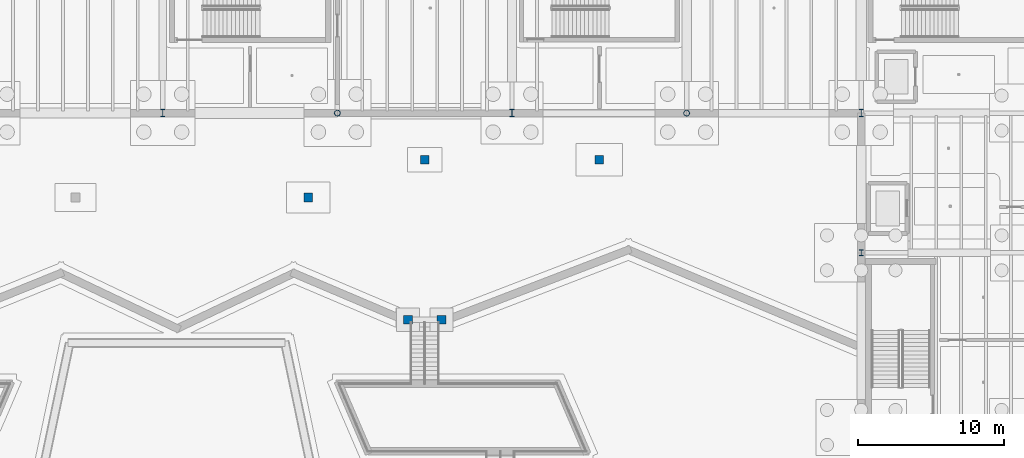
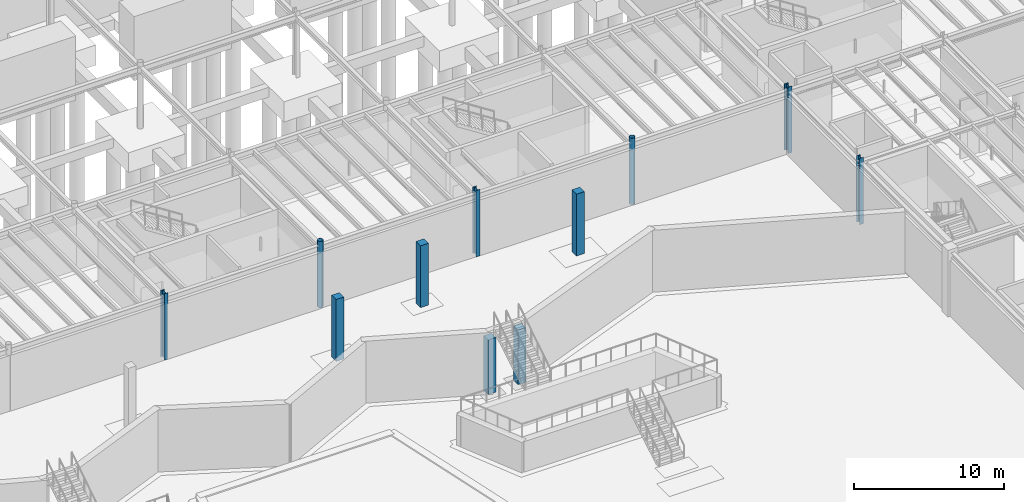
# One storey, part 16 of 67: 11 columns.
"""IFC4 building model written with IfcOpenShell, lengths in metres."""

from ifc_helpers import new_model, si_unit, direction, frame, origin, origin_2d, place, context, subcontext, project, spatial, rectangle, hollow_circle, i_section, extrude, material, material_profile, profile_set, type_object, element, save


model = new_model("IFC4")

# Units and contexts
model_context = context("Model", 3, precision=1e-05, world=origin(), true_north=direction((0.0, 1.0)))
body_context = subcontext(model_context, "Body", "Model", "MODEL_VIEW")
ifc_project = project(units=[si_unit("LENGTHUNIT", "METRE"), si_unit("AREAUNIT", "SQUARE_METRE"), si_unit("VOLUMEUNIT", "CUBIC_METRE"), si_unit("PLANEANGLEUNIT", "RADIAN"), si_unit("MASSUNIT", "GRAM", prefix="KILO")], contexts=[model_context])

# Site, building, storey
site_placement = place(None, origin())
site = spatial("IfcSite", under=ifc_project, at=site_placement, CompositionType="ELEMENT")
building_placement = place(site_placement, origin())
building = spatial("IfcBuilding", under=site, at=building_placement, Name="Zlatogorsky Bluff Art Gallery", CompositionType="ELEMENT")
storey_placement = place(building_placement, frame((0.0, 0.0, -5.39990234375)))
storey = spatial("IfcBuildingStorey", under=building, at=storey_placement, Name="B1", CompositionType="ELEMENT", Elevation=-5.39990234375)

# Columns
ifc_material_1 = material(Name="Steel S355", Category="steel")
ifc_material_profile_1 = material_profile(ifc_material_1, i_section(OverallWidth=0.300048828125, OverallDepth=0.5, WebThickness=0.014404296875, FlangeThickness=0.028076171875, FilletRadius=0.027099609375, at=origin_2d()), Name="HEB 500")
ifc_profile_set_1 = profile_set([ifc_material_profile_1], Name="Steel S355")
column_type_1 = type_object("IfcColumnType", Name="Column CL-02 HEB 500", PredefinedType="COLUMN", material=ifc_profile_set_1)
for number, where, z_axis, x_axis, name in (
    (1, (72.0, 84.0, 0.0), (0.0, 0.0, 1.0), (1.0, 0.0, 0.0), "Column CL-02 B1 G9"),
    (2, (96.0, 84.0, 0.0), (0.0, 0.0, 1.0), (1.0, 0.0, 0.0), "Column CL-02 B1 J9"),
    (3, (120.0, 84.0, 0.0), (0.0, 0.0, 1.0), (1.0, 0.0, 0.0), "Column CL-02 B1 L9"),
):
    element("IfcColumn", number, at=place(storey_placement, frame(where, z_axis=z_axis, x_axis=x_axis)), inside=storey, type_object=column_type_1, Name=name, PredefinedType="COLUMN", context=body_context, shape_type="SweptSolid", body=[
        extrude(i_section(OverallWidth=0.300048828125, OverallDepth=0.5, WebThickness=0.014404296875, FlangeThickness=0.028076171875, FilletRadius=0.027099609375, at=origin_2d()), origin(), (0.0, 0.0, 1.0), 5.39990234375),
    ])
ifc_material_profile_2 = material_profile(ifc_material_1, i_section(OverallWidth=0.300048828125, OverallDepth=0.39990234375, WebThickness=0.013427734375, FlangeThickness=0.02392578125, FilletRadius=0.027099609375, at=origin_2d()), Name="HEB 400")
ifc_profile_set_2 = profile_set([ifc_material_profile_2], Name="Steel S355")
column_type_2 = type_object("IfcColumnType", Name="Column CL-04 HEB 400", PredefinedType="COLUMN", material=ifc_profile_set_2)
column_placement = place(storey_placement, frame((120.0, 74.39990234375, 0.0), z_axis=(0.0, 0.0, 1.0), x_axis=(1.0, 0.0, 0.0)))
element("IfcColumn", 4, at=column_placement, inside=storey, type_object=column_type_2, Name="Column CL-04 B1 L8", PredefinedType="COLUMN", context=body_context, shape_type="SweptSolid", body=[
    extrude(i_section(OverallWidth=0.300048828125, OverallDepth=0.39990234375, WebThickness=0.013427734375, FlangeThickness=0.02392578125, FilletRadius=0.027099609375, at=origin_2d()), origin(), (0.0, 0.0, 1.0), 5.39990234375),
])
ifc_material_profile_3 = material_profile(ifc_material_1, hollow_circle(Radius=0.203125, WallThickness=0.01611328125, at=origin_2d()), Name="CHS 406.4x16")
ifc_profile_set_3 = profile_set([ifc_material_profile_3], Name="Steel S355")
column_type_3 = type_object("IfcColumnType", Name="Column CL-09 CHS 406.4x16", PredefinedType="COLUMN", material=ifc_profile_set_3)
for number, where, z_axis, x_axis, name in (
    (5, (84.0, 84.0, 0.0), (0.0, 0.0, 1.0), (1.0, 0.0, 0.0), "Column CL-09 B1 H9"),
    (6, (108.0, 84.0, 0.0), (0.0, 0.0, 1.0), (1.0, 0.0, 0.0), "Column CL-09 B1 K9"),
):
    element("IfcColumn", number, at=place(storey_placement, frame(where, z_axis=z_axis, x_axis=x_axis)), inside=storey, type_object=column_type_3, Name=name, PredefinedType="COLUMN", context=body_context, shape_type="SweptSolid", body=[
        extrude(hollow_circle(Radius=0.203125, WallThickness=0.01611328125, at=origin_2d()), origin(), (0.0, 0.0, 1.0), 5.39990234375),
    ])
ifc_material_2 = material(Name="Concrete C35/45", Category="concrete")
ifc_material_profile_4 = material_profile(ifc_material_2, rectangle(XDim=0.60009765625, YDim=0.60009765625, at=origin_2d()), Name="RC 600x600")
ifc_profile_set_4 = profile_set([ifc_material_profile_4], Name="Concrete C35/45")
column_type_4 = type_object("IfcColumnType", Name="Column CL-15 RC 600x600", PredefinedType="COLUMN", material=ifc_profile_set_4)
for number, where, z_axis, x_axis, name in (
    (7, (82.0, 78.199951171875, 0.0), (0.0, 0.0, 1.0), (1.0, 0.0, 0.0), "Concourse rim terrace substructure pier 2"),
    (8, (102.0, 80.800048828125, 0.0), (0.0, 0.0, 1.0), (1.0, 0.0, 0.0), "Concourse rim terrace substructure pier 3"),
    (9, (90.0, 80.800048828125, 0.0), (0.0, 0.0, 1.0), (1.0, 0.0, 0.0), "Concourse rim terrace substructure pier 5"),
):
    element("IfcColumn", number, at=place(storey_placement, frame(where, z_axis=z_axis, x_axis=x_axis)), inside=storey, type_object=column_type_4, Name=name, PredefinedType="COLUMN", context=body_context, shape_type="SweptSolid", body=[
        extrude(rectangle(XDim=0.60009765625, YDim=0.60009765625, at=origin_2d()), origin(), (0.0, 0.0, 1.0), 5.039794921875),
    ])
for number, where, z_axis, x_axis, name in (
    (10, (88.85009765625, 69.800048828125, 0.0), (0.0, 0.0, 1.0), (1.0, 0.0, 0.0), "Amphitheatre 2 upper header west pier"),
    (11, (91.14990234375, 69.800048828125, 0.0), (0.0, 0.0, 1.0), (1.0, 0.0, 0.0), "Amphitheatre 2 upper header east pier"),
):
    element("IfcColumn", number, at=place(storey_placement, frame(where, z_axis=z_axis, x_axis=x_axis)), inside=storey, type_object=column_type_4, Name=name, PredefinedType="COLUMN", context=body_context, shape_type="SweptSolid", body=[
        extrude(rectangle(XDim=0.60009765625, YDim=0.60009765625, at=origin_2d()), origin(), (0.0, 0.0, 1.0), 4.43994140625),
    ])

save(model, "model.ifc")
